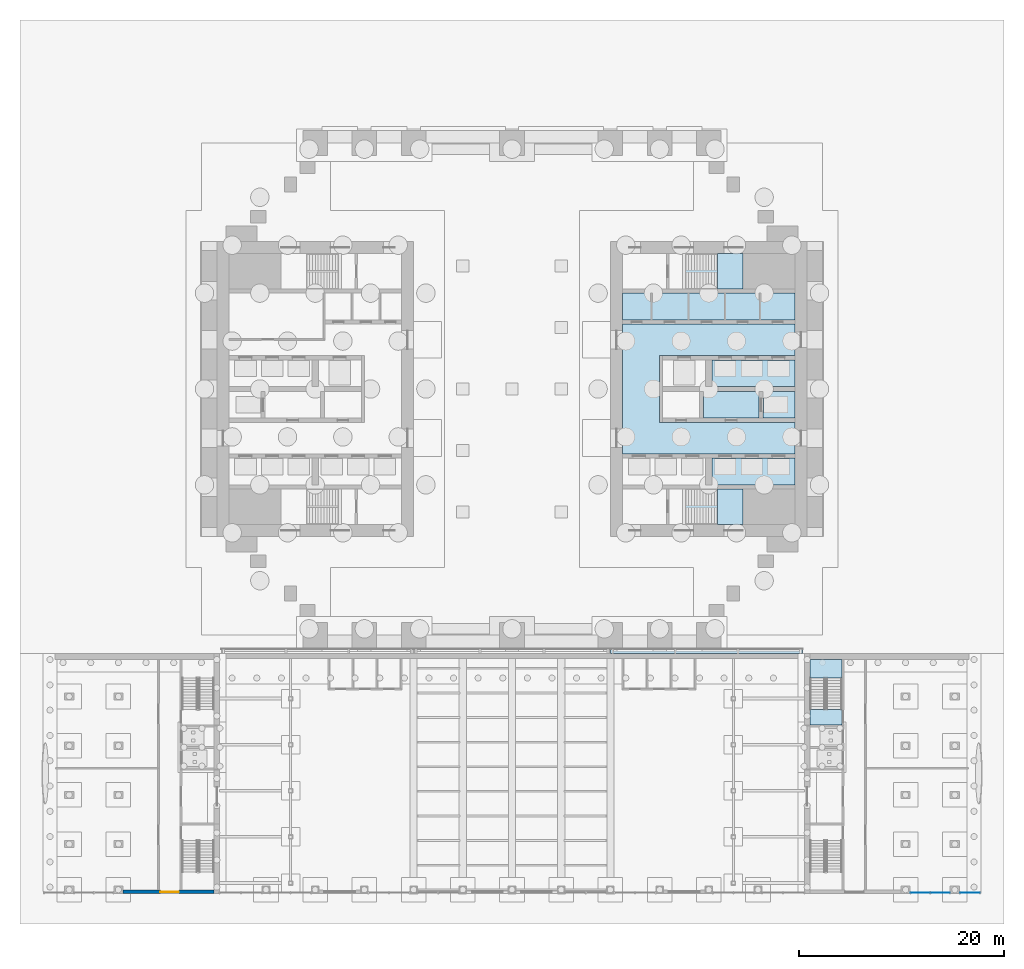
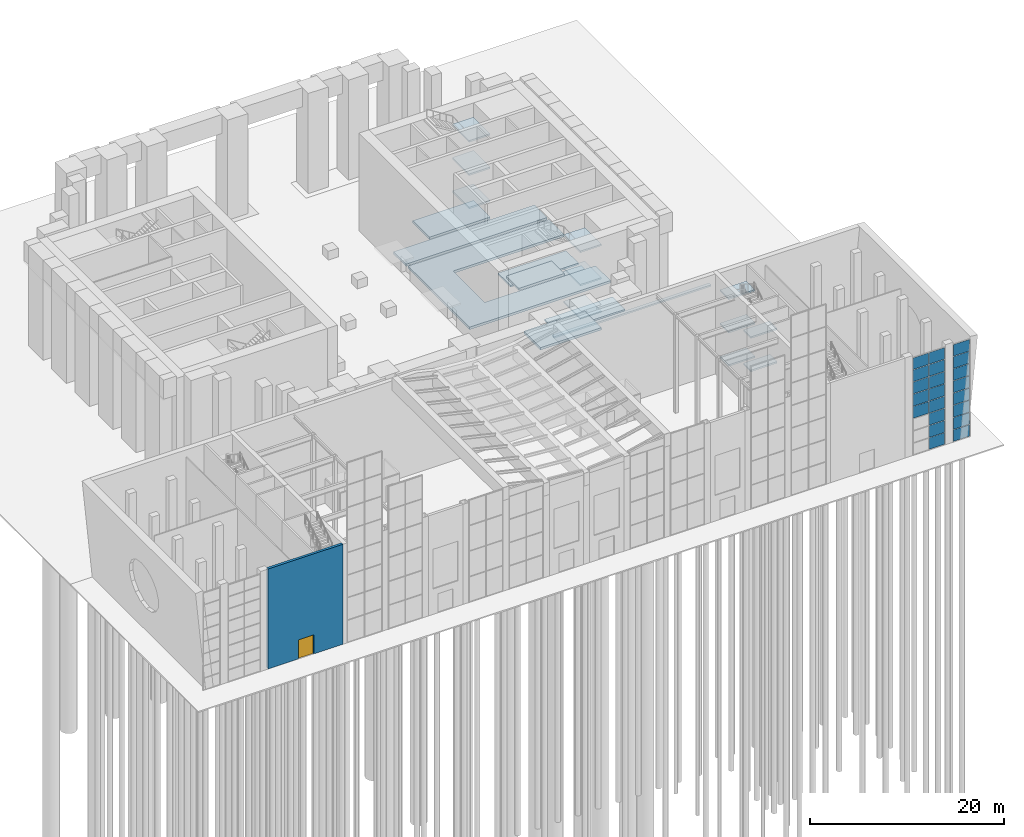
# One storey, part 43 of 58: 21 plates, 20 slabs, 1 door, 1 wall, 1 opening, 5 elements without a shape of their own.
"""IFC4 building model written with IfcOpenShell, lengths in metres."""

from ifc_helpers import new_model, si_unit, direction, frame, frame_2d, origin, origin_2d, place, context, subcontext, project, spatial, polyline, rectangle, outline, extrude, material, layer, layer_set, type_object, element, fill, aggregate, save


model = new_model("IFC4")

# Units and contexts
model_context = context("Model", 3, precision=1e-05, world=origin(), true_north=direction((0.0, 1.0)))
body_context = subcontext(model_context, "Body", "Model", "MODEL_VIEW")
ifc_project = project(units=[si_unit("LENGTHUNIT", "METRE"), si_unit("AREAUNIT", "SQUARE_METRE"), si_unit("VOLUMEUNIT", "CUBIC_METRE"), si_unit("PLANEANGLEUNIT", "RADIAN"), si_unit("MASSUNIT", "GRAM", prefix="KILO")], contexts=[model_context])

# Site, building, storey
site_placement = place(None, origin())
site = spatial("IfcSite", under=ifc_project, at=site_placement, CompositionType="ELEMENT")
building_placement = place(site_placement, origin())
building = spatial("IfcBuilding", under=site, at=building_placement, Name="Baori Bourse Tower", CompositionType="ELEMENT")
storey_placement = place(building_placement, origin())
storey = spatial("IfcBuildingStorey", under=building, at=storey_placement, Name="L00", CompositionType="ELEMENT", Elevation=0.0)

# Slabs
ifc_material_1 = material(Name="Concrete f'c 50 MPa", Category="concrete")
ifc_layer_1 = layer(ifc_material_1, 0.300048828125)
ifc_layer_set_1 = layer_set([ifc_layer_1], Name="Core ground slab 300")
slab_type_1 = type_object("IfcSlabType", Name="Core ground slab 300", PredefinedType="BASESLAB", material=ifc_layer_set_1)
slab_1_placement = place(storey_placement, frame((0.0, 0.0, -0.300048828125)))
element("IfcSlab", 1, at=slab_1_placement, inside=storey, type_object=slab_type_1, Name="Core ground slab E02", PredefinedType="BASESLAB", context=body_context, shape_type="SweptSolid", body=[
    extrude(outline(polyline([(44.10009765625, 10.800048828125), (51.35009765625, 10.800048828125), (51.35009765625, 14.25), (44.10009765625, 14.25), (44.10009765625, 10.800048828125)])), origin(), (0.0, 0.0, 1.0), 0.300048828125),
])
slab_2_placement = place(storey_placement, frame((0.0, 0.0, -0.300048828125)))
element("IfcSlab", 2, at=slab_2_placement, inside=storey, type_object=slab_type_1, Name="Core ground slab E03", PredefinedType="BASESLAB", context=body_context, shape_type="SweptSolid", body=[
    extrude(outline(polyline([(56.39990234375, 30.35009765625), (39.60009765625, 30.35009765625), (39.60009765625, 17.64990234375), (56.39990234375, 17.64990234375), (56.39990234375, 20.75), (43.199951171875, 20.75), (43.199951171875, 27.25), (56.39990234375, 27.25), (56.39990234375, 30.35009765625)])), origin(), (0.0, 0.0, 1.0), 0.300048828125),
])
slab_3_placement = place(storey_placement, frame((0.0, 0.0, -0.300048828125)))
element("IfcSlab", 3, at=slab_3_placement, inside=storey, type_object=slab_type_1, Name="Core ground slab E04", PredefinedType="BASESLAB", context=body_context, shape_type="SweptSolid", body=[
    extrude(outline(polyline([(47.5, 23.75), (47.5, 21.14990234375), (52.89990234375, 21.14990234375), (52.89990234375, 23.75), (47.5, 23.75)])), origin(), (0.0, 0.0, 1.0), 0.300048828125),
])
slab_4_placement = place(storey_placement, frame((0.0, 0.0, -0.300048828125)))
element("IfcSlab", 4, at=slab_4_placement, inside=storey, type_object=slab_type_1, Name="Core ground slab E05", PredefinedType="BASESLAB", context=body_context, shape_type="SweptSolid", body=[
    extrude(outline(polyline([(56.39990234375, 33.35009765625), (39.60009765625, 33.35009765625), (39.60009765625, 30.75), (56.39990234375, 30.75), (56.39990234375, 33.35009765625)])), origin(), (0.0, 0.0, 1.0), 0.300048828125),
])
slab_5_placement = place(storey_placement, frame((0.0, 0.0, -0.300048828125)))
element("IfcSlab", 5, at=slab_5_placement, inside=storey, type_object=slab_type_1, Name="Core ground slab E07", PredefinedType="BASESLAB", context=body_context, shape_type="SweptSolid", body=[
    extrude(outline(polyline([(51.35009765625, 37.199951171875), (44.10009765625, 37.199951171875), (44.10009765625, 33.75), (51.35009765625, 33.75), (51.35009765625, 37.199951171875)])), origin(), (0.0, 0.0, 1.0), 0.300048828125),
])

# Stair, slabs
ifc_material_2 = material(Name="Concrete f'c 50 MPa", Category="concrete")
stair_type_1 = type_object("IfcStairType", Name="Core stair", PredefinedType="HALF_TURN_STAIR", material=ifc_material_2)
stair_1_placement = place(storey_placement, origin())
stair_1 = element("IfcStair", 6, at=stair_1_placement, inside=storey, type_object=stair_type_1, Name="L00 Stair EA", PredefinedType="HALF_TURN_STAIR")
ifc_material_3 = material(Name="Concrete f'c 50 MPa", Category="concrete")
slab_type_2 = type_object("IfcSlabType", Name="Core stair landing", PredefinedType="LANDING", material=ifc_material_3)
slab_6_placement = place(storey_placement, frame((0.0, 0.0, 1.89990234375)))
slab_6 = element("IfcSlab", 7, at=slab_6_placement, type_object=slab_type_2, Name="ST3 landing 1", PredefinedType="LANDING", context=body_context, shape_type="SweptSolid", body=[
    extrude(outline(polyline([(48.830078125, 10.800048828125), (51.35009765625, 10.800048828125), (51.35009765625, 14.25), (48.830078125, 14.25), (48.830078125, 10.800048828125)])), origin(), (0.0, 0.0, 1.0), 0.2001953125),
])
slab_7_placement = place(storey_placement, frame((0.0, 0.0, 6.10009765625)))
slab_7 = element("IfcSlab", 8, at=slab_7_placement, type_object=slab_type_2, Name="ST3 landing 3", PredefinedType="LANDING", context=body_context, shape_type="SweptSolid", body=[
    extrude(outline(polyline([(48.830078125, 10.800048828125), (51.35009765625, 10.800048828125), (51.35009765625, 14.25), (48.830078125, 14.25), (48.830078125, 10.800048828125)])), origin(), (0.0, 0.0, 1.0), 0.199951171875),
])
slab_8_placement = place(storey_placement, frame((0.0, 0.0, 10.300048828125)))
slab_8 = element("IfcSlab", 9, at=slab_8_placement, type_object=slab_type_2, Name="ST3 landing 5", PredefinedType="LANDING", context=body_context, shape_type="SweptSolid", body=[
    extrude(outline(polyline([(48.830078125, 10.800048828125), (51.35009765625, 10.800048828125), (51.35009765625, 14.25), (48.830078125, 14.25), (48.830078125, 10.800048828125)])), origin(), (0.0, 0.0, 1.0), 0.199951171875),
])
aggregate(stair_1, [slab_6, slab_7, slab_8])

stair_2_placement = place(storey_placement, origin())
stair_2 = element("IfcStair", 10, at=stair_2_placement, inside=storey, type_object=stair_type_1, Name="L00 Stair EB", PredefinedType="HALF_TURN_STAIR")
slab_9_placement = place(storey_placement, frame((0.0, 0.0, 1.89990234375)))
slab_9 = element("IfcSlab", 11, at=slab_9_placement, type_object=slab_type_2, Name="ST4 landing 1", PredefinedType="LANDING", context=body_context, shape_type="SweptSolid", body=[
    extrude(outline(polyline([(48.830078125, 33.75), (51.35009765625, 33.75), (51.35009765625, 37.199951171875), (48.830078125, 37.199951171875), (48.830078125, 33.75)])), origin(), (0.0, 0.0, 1.0), 0.2001953125),
])
slab_10_placement = place(storey_placement, frame((0.0, 0.0, 6.10009765625)))
slab_10 = element("IfcSlab", 12, at=slab_10_placement, type_object=slab_type_2, Name="ST4 landing 3", PredefinedType="LANDING", context=body_context, shape_type="SweptSolid", body=[
    extrude(outline(polyline([(48.830078125, 33.75), (51.35009765625, 33.75), (51.35009765625, 37.199951171875), (48.830078125, 37.199951171875), (48.830078125, 33.75)])), origin(), (0.0, 0.0, 1.0), 0.199951171875),
])
slab_11_placement = place(storey_placement, frame((0.0, 0.0, 10.300048828125)))
slab_11 = element("IfcSlab", 13, at=slab_11_placement, type_object=slab_type_2, Name="ST4 landing 5", PredefinedType="LANDING", context=body_context, shape_type="SweptSolid", body=[
    extrude(outline(polyline([(48.830078125, 33.75), (51.35009765625, 33.75), (51.35009765625, 37.199951171875), (48.830078125, 37.199951171875), (48.830078125, 33.75)])), origin(), (0.0, 0.0, 1.0), 0.199951171875),
])
aggregate(stair_2, [slab_9, slab_10, slab_11])

# Slabs
ifc_material_4 = material(Name="Concrete f'c 40 MPa", Category="concrete")
ifc_layer_2 = layer(ifc_material_4, 0.199951171875)
ifc_layer_set_2 = layer_set([ifc_layer_2], Name="Entrance canopy slab 200")
slab_type_3 = type_object("IfcSlabType", Name="Entrance canopy slab 200", PredefinedType="ROOF", material=ifc_layer_set_2)
slab_12_placement = place(storey_placement, frame((0.0, 0.0, 10.800048828125)))
element("IfcSlab", 14, at=slab_12_placement, inside=storey, type_object=slab_type_3, Name="Canopy 3", PredefinedType="ROOF", context=body_context, shape_type="SweptSolid", body=[
    extrude(outline(polyline([(38.425048828125, -1.800048828125), (57.14990234375, -1.800048828125), (57.14990234375, -1.39990234375), (38.425048828125, -1.39990234375), (38.425048828125, -1.800048828125)])), origin(), (0.0, 0.0, 1.0), 0.199951171875),
])
ifc_material_5 = material(Name="Concrete f'c 40 MPa", Category="concrete")
ifc_layer_3 = layer(ifc_material_5, 0.199951171875)
ifc_layer_set_3 = layer_set([ifc_layer_3], Name="Lift pit slab 200")
slab_type_4 = type_object("IfcSlabType", Name="Lift pit slab 200", PredefinedType="BASESLAB", material=ifc_layer_set_3)
slab_13_placement = place(storey_placement, frame((0.0, 0.0, -2.0)))
element("IfcSlab", 15, at=slab_13_placement, inside=storey, type_object=slab_type_4, Name="Lift pit floor E02", PredefinedType="BASESLAB", context=body_context, shape_type="SweptSolid", body=[
    extrude(outline(polyline([(48.300048828125, 14.64990234375), (56.39990234375, 14.64990234375), (56.39990234375, 17.25), (48.300048828125, 17.25), (48.300048828125, 14.64990234375)])), origin(), (0.0, 0.0, 1.0), 0.199951171875),
])
slab_14_placement = place(storey_placement, frame((0.0, 0.0, -2.0)))
element("IfcSlab", 16, at=slab_14_placement, inside=storey, type_object=slab_type_4, Name="Lift pit floor E04", PredefinedType="BASESLAB", context=body_context, shape_type="SweptSolid", body=[
    extrude(outline(polyline([(53.300048828125, 21.14990234375), (56.39990234375, 21.14990234375), (56.39990234375, 23.75), (53.300048828125, 23.75), (53.300048828125, 21.14990234375)])), origin(), (0.0, 0.0, 1.0), 0.199951171875),
])
slab_15_placement = place(storey_placement, frame((0.0, 0.0, -2.0)))
element("IfcSlab", 17, at=slab_15_placement, inside=storey, type_object=slab_type_4, Name="Lift pit floor E06", PredefinedType="BASESLAB", context=body_context, shape_type="SweptSolid", body=[
    extrude(outline(polyline([(48.300048828125, 24.25), (56.39990234375, 24.25), (56.39990234375, 26.85009765625), (48.300048828125, 26.85009765625), (48.300048828125, 24.25)])), origin(), (0.0, 0.0, 1.0), 0.199951171875),
])

# Curtain wall, plates
ifc_material_6 = material(Name="Pale anodised aluminium", Category="aluminium")
ifc_layer_4 = layer(ifc_material_6, 0.10009765625)
ifc_layer_set_4 = layer_set([ifc_layer_4], Name="Wing curtain wall")
curtain_wall_type = type_object("IfcCurtainWallType", Name="Wing curtain wall", PredefinedType="NOTDEFINED", material=ifc_layer_set_4)
curtain_wall_1_placement = place(storey_placement, origin())
curtain_wall_1 = element("IfcCurtainWall", 18, at=curtain_wall_1_placement, inside=storey, type_object=curtain_wall_type, Name="wing/L00/Ecw/001", PredefinedType="NOTDEFINED")
ifc_material_7 = material(Name="Clear glass", Category="glass")
ifc_layer_5 = layer(ifc_material_7, 0.028076171875)
ifc_layer_set_5 = layer_set([ifc_layer_5], Name="Wing glass panel 28")
plate_type = type_object("IfcPlateType", Name="Wing glass panel 28", PredefinedType="CURTAIN_PANEL", material=ifc_layer_set_5)
plate_1_placement = place(storey_placement, frame((73.476318359375, -25.14990234375, 0.06005859375), z_axis=(0.0, 0.0, 1.0), x_axis=(1.0, 0.0, 0.0)))
plate_1 = element("IfcPlate", 19, at=plate_1_placement, type_object=plate_type, Name="X12 panel 1.1", PredefinedType="CURTAIN_PANEL", context=body_context, shape_type="SweptSolid", body=[
    extrude(rectangle(XDim=1.9326171875, YDim=0.028076171875, at=origin_2d()), origin(), (0.0, 0.0, 1.0), 1.447509765625),
])
plate_2_placement = place(storey_placement, frame((73.476318359375, -25.14990234375, 1.5673828125), z_axis=(0.0, 0.0, 1.0), x_axis=(1.0, 0.0, 0.0)))
plate_2 = element("IfcPlate", 20, at=plate_2_placement, type_object=plate_type, Name="X12 panel 1.2", PredefinedType="CURTAIN_PANEL", context=body_context, shape_type="SweptSolid", body=[
    extrude(rectangle(XDim=1.9326171875, YDim=0.028076171875, at=origin_2d()), origin(), (0.0, 0.0, 1.0), 1.4775390625),
])
plate_3_placement = place(storey_placement, frame((73.476318359375, -25.14990234375, 3.10498046875), z_axis=(0.0, 0.0, 1.0), x_axis=(1.0, 0.0, 0.0)))
plate_3 = element("IfcPlate", 21, at=plate_3_placement, type_object=plate_type, Name="X12 panel 1.3", PredefinedType="CURTAIN_PANEL", context=body_context, shape_type="SweptSolid", body=[
    extrude(rectangle(XDim=1.9326171875, YDim=0.028076171875, at=origin_2d()), origin(), (0.0, 0.0, 1.0), 1.4775390625),
])
plate_4_placement = place(storey_placement, frame((73.476318359375, -25.14990234375, 4.642578125), z_axis=(0.0, 0.0, 1.0), x_axis=(1.0, 0.0, 0.0)))
plate_4 = element("IfcPlate", 22, at=plate_4_placement, type_object=plate_type, Name="X12 panel 1.4", PredefinedType="CURTAIN_PANEL", context=body_context, shape_type="SweptSolid", body=[
    extrude(rectangle(XDim=1.9326171875, YDim=0.028076171875, at=origin_2d()), origin(), (0.0, 0.0, 1.0), 1.4775390625),
])
plate_5_placement = place(storey_placement, frame((73.476318359375, -25.14990234375, 6.179931640625), z_axis=(0.0, 0.0, 1.0), x_axis=(1.0, 0.0, 0.0)))
plate_5 = element("IfcPlate", 23, at=plate_5_placement, type_object=plate_type, Name="X12 panel 1.5", PredefinedType="CURTAIN_PANEL", context=body_context, shape_type="SweptSolid", body=[
    extrude(rectangle(XDim=1.9326171875, YDim=0.028076171875, at=origin_2d()), origin(), (0.0, 0.0, 1.0), 1.4775390625),
])
plate_6_placement = place(storey_placement, frame((73.476318359375, -25.14990234375, 7.717529296875), z_axis=(0.0, 0.0, 1.0), x_axis=(1.0, 0.0, 0.0)))
plate_6 = element("IfcPlate", 24, at=plate_6_placement, type_object=plate_type, Name="X12 panel 1.6", PredefinedType="CURTAIN_PANEL", context=body_context, shape_type="SweptSolid", body=[
    extrude(rectangle(XDim=1.9326171875, YDim=0.028076171875, at=origin_2d()), origin(), (0.0, 0.0, 1.0), 1.4775390625),
])
plate_7_placement = place(storey_placement, frame((73.476318359375, -25.14990234375, 9.2548828125), z_axis=(0.0, 0.0, 1.0), x_axis=(1.0, 0.0, 0.0)))
plate_7 = element("IfcPlate", 25, at=plate_7_placement, type_object=plate_type, Name="X12 panel 1.7", PredefinedType="CURTAIN_PANEL", context=body_context, shape_type="SweptSolid", body=[
    extrude(rectangle(XDim=1.9326171875, YDim=0.028076171875, at=origin_2d()), origin(), (0.0, 0.0, 1.0), 1.4775390625),
])
plate_8_placement = place(storey_placement, frame((73.476318359375, -25.14990234375, 10.79248046875), z_axis=(0.0, 0.0, 1.0), x_axis=(1.0, 0.0, 0.0)))
plate_8 = element("IfcPlate", 26, at=plate_8_placement, type_object=plate_type, Name="X12 panel 1.8", PredefinedType="CURTAIN_PANEL", context=body_context, shape_type="SweptSolid", body=[
    extrude(rectangle(XDim=1.9326171875, YDim=0.028076171875, at=origin_2d()), origin(), (0.0, 0.0, 1.0), 1.447509765625),
])
aggregate(curtain_wall_1, [plate_1, plate_2, plate_3, plate_4, plate_5, plate_6, plate_7, plate_8])

curtain_wall_2_placement = place(storey_placement, origin())
curtain_wall_2 = element("IfcCurtainWall", 27, at=curtain_wall_2_placement, inside=storey, type_object=curtain_wall_type, Name="wing/L00/Ecw/002", PredefinedType="NOTDEFINED")
plate_9_placement = place(storey_placement, frame((68.639892578125, -25.14990234375, 4.642578125), z_axis=(0.0, 0.0, 1.0), x_axis=(1.0, 0.0, 0.0)))
plate_9 = element("IfcPlate", 28, at=plate_9_placement, type_object=plate_type, Name="X12 panel 1.4", PredefinedType="CURTAIN_PANEL", context=body_context, shape_type="SweptSolid", body=[
    extrude(rectangle(XDim=1.860107421875, YDim=0.028076171875, at=origin_2d()), origin(), (0.0, 0.0, 1.0), 1.4775390625),
])
plate_10_placement = place(storey_placement, frame((68.639892578125, -25.14990234375, 6.179931640625), z_axis=(0.0, 0.0, 1.0), x_axis=(1.0, 0.0, 0.0)))
plate_10 = element("IfcPlate", 29, at=plate_10_placement, type_object=plate_type, Name="X12 panel 1.5", PredefinedType="CURTAIN_PANEL", context=body_context, shape_type="SweptSolid", body=[
    extrude(rectangle(XDim=1.860107421875, YDim=0.028076171875, at=origin_2d()), origin(), (0.0, 0.0, 1.0), 1.4775390625),
])
plate_11_placement = place(storey_placement, frame((68.639892578125, -25.14990234375, 7.717529296875), z_axis=(0.0, 0.0, 1.0), x_axis=(1.0, 0.0, 0.0)))
plate_11 = element("IfcPlate", 30, at=plate_11_placement, type_object=plate_type, Name="X12 panel 1.6", PredefinedType="CURTAIN_PANEL", context=body_context, shape_type="SweptSolid", body=[
    extrude(rectangle(XDim=1.860107421875, YDim=0.028076171875, at=origin_2d()), origin(), (0.0, 0.0, 1.0), 1.4775390625),
])
plate_12_placement = place(storey_placement, frame((68.639892578125, -25.14990234375, 9.2548828125), z_axis=(0.0, 0.0, 1.0), x_axis=(1.0, 0.0, 0.0)))
plate_12 = element("IfcPlate", 31, at=plate_12_placement, type_object=plate_type, Name="X12 panel 1.7", PredefinedType="CURTAIN_PANEL", context=body_context, shape_type="SweptSolid", body=[
    extrude(rectangle(XDim=1.860107421875, YDim=0.028076171875, at=origin_2d()), origin(), (0.0, 0.0, 1.0), 1.4775390625),
])
plate_13_placement = place(storey_placement, frame((68.639892578125, -25.14990234375, 10.79248046875), z_axis=(0.0, 0.0, 1.0), x_axis=(1.0, 0.0, 0.0)))
plate_13 = element("IfcPlate", 32, at=plate_13_placement, type_object=plate_type, Name="X12 panel 1.8", PredefinedType="CURTAIN_PANEL", context=body_context, shape_type="SweptSolid", body=[
    extrude(rectangle(XDim=1.860107421875, YDim=0.028076171875, at=origin_2d()), origin(), (0.0, 0.0, 1.0), 1.447509765625),
])
plate_14_placement = place(storey_placement, frame((70.56005859375, -25.14990234375, 0.06005859375), z_axis=(0.0, 0.0, 1.0), x_axis=(1.0, 0.0, 0.0)))
plate_14 = element("IfcPlate", 33, at=plate_14_placement, type_object=plate_type, Name="X12 panel 2.1", PredefinedType="CURTAIN_PANEL", context=body_context, shape_type="SweptSolid", body=[
    extrude(rectangle(XDim=1.860107421875, YDim=0.028076171875, at=origin_2d()), origin(), (0.0, 0.0, 1.0), 1.447509765625),
])
plate_15_placement = place(storey_placement, frame((70.56005859375, -25.14990234375, 1.5673828125), z_axis=(0.0, 0.0, 1.0), x_axis=(1.0, 0.0, 0.0)))
plate_15 = element("IfcPlate", 34, at=plate_15_placement, type_object=plate_type, Name="X12 panel 2.2", PredefinedType="CURTAIN_PANEL", context=body_context, shape_type="SweptSolid", body=[
    extrude(rectangle(XDim=1.860107421875, YDim=0.028076171875, at=origin_2d()), origin(), (0.0, 0.0, 1.0), 1.4775390625),
])
plate_16_placement = place(storey_placement, frame((70.56005859375, -25.14990234375, 3.10498046875), z_axis=(0.0, 0.0, 1.0), x_axis=(1.0, 0.0, 0.0)))
plate_16 = element("IfcPlate", 35, at=plate_16_placement, type_object=plate_type, Name="X12 panel 2.3", PredefinedType="CURTAIN_PANEL", context=body_context, shape_type="SweptSolid", body=[
    extrude(rectangle(XDim=1.860107421875, YDim=0.028076171875, at=origin_2d()), origin(), (0.0, 0.0, 1.0), 1.4775390625),
])
plate_17_placement = place(storey_placement, frame((70.56005859375, -25.14990234375, 4.642578125), z_axis=(0.0, 0.0, 1.0), x_axis=(1.0, 0.0, 0.0)))
plate_17 = element("IfcPlate", 36, at=plate_17_placement, type_object=plate_type, Name="X12 panel 2.4", PredefinedType="CURTAIN_PANEL", context=body_context, shape_type="SweptSolid", body=[
    extrude(rectangle(XDim=1.860107421875, YDim=0.028076171875, at=origin_2d()), origin(), (0.0, 0.0, 1.0), 1.4775390625),
])
plate_18_placement = place(storey_placement, frame((70.56005859375, -25.14990234375, 6.179931640625), z_axis=(0.0, 0.0, 1.0), x_axis=(1.0, 0.0, 0.0)))
plate_18 = element("IfcPlate", 37, at=plate_18_placement, type_object=plate_type, Name="X12 panel 2.5", PredefinedType="CURTAIN_PANEL", context=body_context, shape_type="SweptSolid", body=[
    extrude(rectangle(XDim=1.860107421875, YDim=0.028076171875, at=origin_2d()), origin(), (0.0, 0.0, 1.0), 1.4775390625),
])
plate_19_placement = place(storey_placement, frame((70.56005859375, -25.14990234375, 7.717529296875), z_axis=(0.0, 0.0, 1.0), x_axis=(1.0, 0.0, 0.0)))
plate_19 = element("IfcPlate", 38, at=plate_19_placement, type_object=plate_type, Name="X12 panel 2.6", PredefinedType="CURTAIN_PANEL", context=body_context, shape_type="SweptSolid", body=[
    extrude(rectangle(XDim=1.860107421875, YDim=0.028076171875, at=origin_2d()), origin(), (0.0, 0.0, 1.0), 1.4775390625),
])
plate_20_placement = place(storey_placement, frame((70.56005859375, -25.14990234375, 9.2548828125), z_axis=(0.0, 0.0, 1.0), x_axis=(1.0, 0.0, 0.0)))
plate_20 = element("IfcPlate", 39, at=plate_20_placement, type_object=plate_type, Name="X12 panel 2.7", PredefinedType="CURTAIN_PANEL", context=body_context, shape_type="SweptSolid", body=[
    extrude(rectangle(XDim=1.860107421875, YDim=0.028076171875, at=origin_2d()), origin(), (0.0, 0.0, 1.0), 1.4775390625),
])
plate_21_placement = place(storey_placement, frame((70.56005859375, -25.14990234375, 10.79248046875), z_axis=(0.0, 0.0, 1.0), x_axis=(1.0, 0.0, 0.0)))
plate_21 = element("IfcPlate", 40, at=plate_21_placement, type_object=plate_type, Name="X12 panel 2.8", PredefinedType="CURTAIN_PANEL", context=body_context, shape_type="SweptSolid", body=[
    extrude(rectangle(XDim=1.860107421875, YDim=0.028076171875, at=origin_2d()), origin(), (0.0, 0.0, 1.0), 1.447509765625),
])
aggregate(curtain_wall_2, [plate_9, plate_10, plate_11, plate_12, plate_13, plate_14, plate_15, plate_16, plate_17, plate_18, plate_19, plate_20, plate_21])

# Stair, slabs
ifc_material_8 = material(Name="Concrete f'c 40 MPa", Category="concrete")
stair_type_2 = type_object("IfcStairType", Name="Wing exit stair 1500", PredefinedType="HALF_TURN_STAIR", material=ifc_material_8)
stair_3_placement = place(storey_placement, origin())
stair_3 = element("IfcStair", 41, at=stair_3_placement, inside=storey, type_object=stair_type_2, Name="L00 Exit stair EA", PredefinedType="HALF_TURN_STAIR")
ifc_material_9 = material(Name="Concrete f'c 40 MPa", Category="concrete")
ifc_layer_6 = layer(ifc_material_9, 0.199951171875)
ifc_layer_set_6 = layer_set([ifc_layer_6], Name="Wing stair landing 200")
slab_type_5 = type_object("IfcSlabType", Name="Wing stair landing 200", PredefinedType="LANDING", material=ifc_layer_set_6)
slab_16_placement = place(storey_placement, frame((0.0, 0.0, 1.89990234375)))
slab_16 = element("IfcSlab", 42, at=slab_16_placement, type_object=slab_type_5, Name="E-STA landing 1", PredefinedType="LANDING", context=body_context, shape_type="SweptSolid", body=[
    extrude(outline(polyline([(61.0, -4.179931640625), (61.0, -2.39990234375), (57.85009765625, -2.39990234375), (57.85009765625, -4.179931640625), (61.0, -4.179931640625)])), origin(), (0.0, 0.0, 1.0), 0.2001953125),
])
slab_17_placement = place(storey_placement, frame((0.0, 0.0, 4.0)))
slab_17 = element("IfcSlab", 43, at=slab_17_placement, type_object=slab_type_5, Name="E-STA landing 2", PredefinedType="LANDING", context=body_context, shape_type="SweptSolid", body=[
    extrude(outline(polyline([(61.0, -8.760009765625), (61.0, -7.260009765625), (57.85009765625, -7.260009765625), (57.85009765625, -8.760009765625), (61.0, -8.760009765625)])), origin(), (0.0, 0.0, 1.0), 0.199951171875),
])
slab_18_placement = place(storey_placement, frame((0.0, 0.0, 6.10009765625)))
slab_18 = element("IfcSlab", 44, at=slab_18_placement, type_object=slab_type_5, Name="E-STA landing 3", PredefinedType="LANDING", context=body_context, shape_type="SweptSolid", body=[
    extrude(outline(polyline([(61.0, -4.179931640625), (61.0, -2.39990234375), (57.85009765625, -2.39990234375), (57.85009765625, -4.179931640625), (61.0, -4.179931640625)])), origin(), (0.0, 0.0, 1.0), 0.199951171875),
])
slab_19_placement = place(storey_placement, frame((0.0, 0.0, 8.199951171875)))
slab_19 = element("IfcSlab", 45, at=slab_19_placement, type_object=slab_type_5, Name="E-STA landing 4", PredefinedType="LANDING", context=body_context, shape_type="SweptSolid", body=[
    extrude(outline(polyline([(61.0, -8.760009765625), (61.0, -7.260009765625), (57.85009765625, -7.260009765625), (57.85009765625, -8.760009765625), (61.0, -8.760009765625)])), origin(), (0.0, 0.0, 1.0), 0.199951171875),
])
slab_20_placement = place(storey_placement, frame((0.0, 0.0, 10.300048828125)))
slab_20 = element("IfcSlab", 46, at=slab_20_placement, type_object=slab_type_5, Name="E-STA landing 5", PredefinedType="LANDING", context=body_context, shape_type="SweptSolid", body=[
    extrude(outline(polyline([(61.0, -4.179931640625), (61.0, -2.39990234375), (57.85009765625, -2.39990234375), (57.85009765625, -4.179931640625), (61.0, -4.179931640625)])), origin(), (0.0, 0.0, 1.0), 0.199951171875),
])
aggregate(stair_3, [slab_16, slab_17, slab_18, slab_19, slab_20])

# Wall, opening, door
ifc_material_10 = material(Name="Concrete f'c 50 MPa", Category="concrete")
ifc_layer_7 = layer(ifc_material_10, 0.300048828125)
ifc_layer_set_7 = layer_set([ifc_layer_7], Name="Entrance wall 300")
wall_type = type_object("IfcWallType", Name="Entrance wall 300", PredefinedType="SOLIDWALL", material=ifc_layer_set_7)
wall_placement = place(storey_placement, frame((-0.25, -25.050048828125, 0.0), z_axis=(0.0, 0.0, 1.0), x_axis=(-1.0, 0.0, 0.0)))
wall = element("IfcWall", 47, at=wall_placement, inside=storey, type_object=wall_type, Name="wing/L00/Wsouthwall/001", PredefinedType="SOLIDWALL", context=body_context, shape_type="SweptSolid", body=[
    extrude(rectangle(XDim=8.89990234375, YDim=0.300048828125, at=frame_2d((4.449951171875, 0.0))), origin(), (0.0, 0.0, 1.0), 12.60009765625),
])
opening_placement = place(wall_placement, frame((3.449951171875, 0.0, 0.0)))
opening = element("IfcOpeningElement", 48, at=opening_placement, cuts=wall, Name="Opening WGW-L00-07", PredefinedType="OPENING", context=body_context, shape_type="SweptSolid", body=[
    extrude(rectangle(XDim=1.800048828125, YDim=2.39990234375, at=frame_2d((0.89990234375, 1.199951171875))), frame((0.0, 0.159912109375, 0.0), z_axis=(0.0, -1.0, 0.0), x_axis=(1.0, 0.0, 0.0)), (0.0, 0.0, 1.0), 0.320068359375),
])
ifc_material_11 = material(Name="Aluminium and glass door", Category="aluminium")
door_type = type_object("IfcDoorType", Name="Entrance door 1800x2400", OperationType="DOUBLE_DOOR_SINGLE_SWING", PredefinedType="DOOR", material=ifc_material_11)
door_placement = place(opening_placement, origin())
door = element("IfcDoor", 49, at=door_placement, inside=storey, type_object=door_type, Name="WGW-L00-07", OperationType="DOUBLE_DOOR_SINGLE_SWING", OverallHeight=2.39990234375, OverallWidth=1.800048828125, PredefinedType="DOOR", context=body_context, shape_type="SweptSolid", body=[
    extrude(rectangle(XDim=1.800048828125, YDim=2.39990234375, at=frame_2d((0.89990234375, 1.199951171875))), frame((0.0, 0.02490234375, 0.0), z_axis=(0.0, -1.0, 0.0), x_axis=(1.0, 0.0, 0.0)), (0.0, 0.0, 1.0), 0.050048828125),
])
fill(opening, door)

save(model, "model.ifc")
